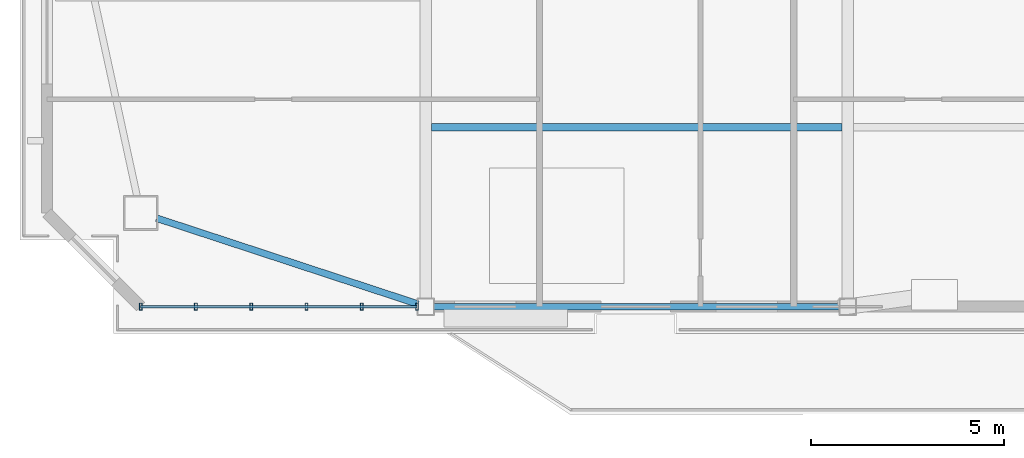
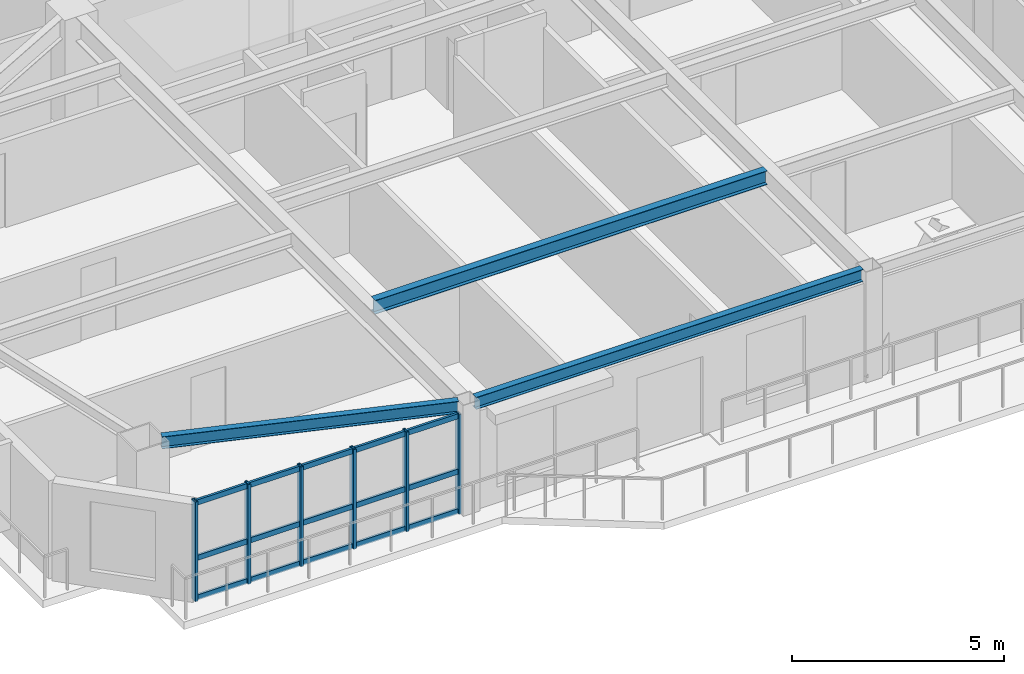
# One storey, part 2 of 15: 9 members, 3 beams, 1 element without a shape of its own.
"""IFC4 building model written with IfcOpenShell, lengths in metres."""

from ifc_helpers import new_model, si_unit, direction, frame, origin, origin_2d, place, context, subcontext, project, spatial, hollow_rectangle, i_section, extrude, source, transform, mapped, material, layer, layer_set, material_profile, profile_set, type_object, element, aggregate, save


model = new_model("IFC4")

# Units and contexts
model_context = context("Model", 3, precision=1e-05, world=origin(), true_north=direction((0.0, 1.0)))
body_context = subcontext(model_context, "Body", "Model", "MODEL_VIEW")
ifc_project = project(units=[si_unit("LENGTHUNIT", "METRE"), si_unit("AREAUNIT", "SQUARE_METRE"), si_unit("VOLUMEUNIT", "CUBIC_METRE"), si_unit("PLANEANGLEUNIT", "RADIAN"), si_unit("MASSUNIT", "GRAM", prefix="KILO")], contexts=[model_context])

# Site, building, storey
site_placement = place(None, origin())
site = spatial("IfcSite", under=ifc_project, at=site_placement, CompositionType="ELEMENT")
building_placement = place(site_placement, origin())
building = spatial("IfcBuilding", under=site, at=building_placement, Name="Giltprow Tower", CompositionType="ELEMENT")
storey_placement = place(building_placement, frame((0.0, 0.0, 293.800048828125)))
storey = spatial("IfcBuildingStorey", under=building, at=storey_placement, Name="L75", CompositionType="ELEMENT", Elevation=293.800048828125)

# Beams
ifc_material_1 = material(Name="Structural steel Q355B", Category="steel")
ifc_material_profile_1 = material_profile(ifc_material_1, i_section(OverallWidth=0.199951171875, OverallDepth=0.39990234375, WebThickness=0.008056640625, FlangeThickness=0.012939453125, at=origin_2d()), Name="HN 400x200x8x13")
ifc_profile_set_1 = profile_set([ifc_material_profile_1], Name="Structural steel Q355B")
beam_type_1 = type_object("IfcBeamType", Name="BM-JOIST-HN400", PredefinedType="JOIST", material=ifc_profile_set_1)
shared_shape_1 = source(origin(), body_context, "Body", "SweptSolid", [
    extrude(i_section(OverallWidth=0.199951171875, OverallDepth=0.39990234375, WebThickness=0.008056640625, FlangeThickness=0.012939453125, at=origin_2d()), origin(), (0.0, 0.0, 1.0), 10.659912109375),
])
beam_1_placement = place(storey_placement, frame((19.9951171875, 23.492919921875, 2.98486328125), z_axis=(1.0, 0.0, 0.0), x_axis=(0.0, 1.0, 0.0)))
element("IfcBeam", 1, at=beam_1_placement, inside=storey, type_object=beam_type_1, Name="L75 Composite Floor Joist 1-1", PredefinedType="JOIST", context=body_context, shape_type="MappedRepresentation", body=[
    mapped(shared_shape_1, transform((0.0, 0.0, 0.0), x_axis=(1.0, 0.0, 0.0), y_axis=(0.0, 1.0, 0.0), z_axis=(0.0, 0.0, 1.0), scale=1.0)),
])
ifc_material_profile_2 = material_profile(ifc_material_1, i_section(OverallWidth=0.175048828125, OverallDepth=0.35009765625, WebThickness=0.007080078125, FlangeThickness=0.010986328125, at=origin_2d()), Name="HN 350x175x7x11")
ifc_profile_set_2 = profile_set([ifc_material_profile_2], Name="Structural steel Q355B")
beam_type_2 = type_object("IfcBeamType", Name="BM-SPAN-HN350", PredefinedType="SPANDREL", material=ifc_profile_set_2)
shared_shape_2 = source(origin(), body_context, "Body", "SweptSolid", [
    extrude(i_section(OverallWidth=0.175048828125, OverallDepth=0.35009765625, WebThickness=0.007080078125, FlangeThickness=0.010986328125, at=origin_2d()), origin(), (0.0, 0.0, 1.0), 10.530029296875),
])
beam_2_placement = place(storey_placement, frame((20.06005859375, 18.841064453125, 3.010009765625), z_axis=(1.0, 0.0, 0.0), x_axis=(0.0, 1.0, 0.0)))
element("IfcBeam", 2, at=beam_2_placement, inside=storey, type_object=beam_type_2, Name="L75 Perimeter Spandrel Beam S1-S2", PredefinedType="SPANDREL", context=body_context, shape_type="MappedRepresentation", body=[
    mapped(shared_shape_2, transform((0.0, 0.0, 0.0), x_axis=(1.0, 0.0, 0.0), y_axis=(0.0, 1.0, 0.0), z_axis=(0.0, 0.0, 1.0), scale=1.0)),
])
shared_shape_3 = source(origin(), body_context, "Body", "SweptSolid", [
    extrude(i_section(OverallWidth=0.175048828125, OverallDepth=0.35009765625, WebThickness=0.007080078125, FlangeThickness=0.010986328125, at=origin_2d()), origin(), (0.0, 0.0, 1.0), 7.139892578125),
])
beam_3_placement = place(storey_placement, frame((12.867919921875, 21.135986328125, 3.010009765625), z_axis=(0.950018565555, -0.312193409766, 0.0), x_axis=(0.312193409766, 0.950018565555, 0.0)))
element("IfcBeam", 3, at=beam_3_placement, inside=storey, type_object=beam_type_2, Name="L75 Perimeter Spandrel Beam MC_SW-S1", PredefinedType="SPANDREL", context=body_context, shape_type="MappedRepresentation", body=[
    mapped(shared_shape_3, transform((0.0, 0.0, 0.0), x_axis=(1.0, 0.0, 0.0), y_axis=(0.0, 1.0, 0.0), z_axis=(0.0, 0.0, 1.0), scale=1.0)),
])

# Curtain wall, members
ifc_material_2 = material(Name="Anodized bronze", Category="metal")
ifc_layer = layer(ifc_material_2, 0.179931640625, Name="Anodized bronze")
ifc_layer_set = layer_set([ifc_layer], Name="Anodized bronze")
curtain_wall_type = type_object("IfcCurtainWallType", Name="CW-RES-SKY", PredefinedType="NOTDEFINED", material=ifc_layer_set)
curtain_wall_placement = place(storey_placement, origin())
curtain_wall = element("IfcCurtainWall", 4, at=curtain_wall_placement, inside=storey, type_object=curtain_wall_type, Name="L75 South Recessed Curtain Wall 1", PredefinedType="NOTDEFINED")
ifc_material_profile_3 = material_profile(ifc_material_2, hollow_rectangle(XDim=0.074951171875, YDim=0.179931640625, WallThickness=0.008056640625, at=origin_2d()), Name="RHS 180x75x8")
ifc_profile_set_3 = profile_set([ifc_material_profile_3], Name="Anodized bronze")
member_type_1 = type_object("IfcMemberType", Name="CW-MULLION-180x75", PredefinedType="MULLION", material=ifc_profile_set_3)
shared_shape_4 = source(origin(), body_context, "Body", "SweptSolid", [
    extrude(hollow_rectangle(XDim=0.074951171875, YDim=0.179931640625, WallThickness=0.008056640625, at=origin_2d()), origin(), (0.0, 0.0, 1.0), 2.869873046875),
])
member_1_placement = place(storey_placement, frame((12.455078125, 18.841064453125, -0.02001953125), z_axis=(0.0, 0.0, 1.0), x_axis=(1.0, 0.0, 0.0)))
member_1 = element("IfcMember", 5, at=member_1_placement, type_object=member_type_1, Name="L75 South Recessed Curtain Wall 1 Mullion 1", PredefinedType="MULLION", context=body_context, shape_type="MappedRepresentation", body=[
    mapped(shared_shape_4, transform((0.0, 0.0, 0.0), x_axis=(1.0, 0.0, 0.0), y_axis=(0.0, 1.0, 0.0), z_axis=(0.0, 0.0, 1.0), scale=1.0)),
])
member_2_placement = place(storey_placement, frame((13.888916015625, 18.841064453125, -0.02001953125), z_axis=(0.0, 0.0, 1.0), x_axis=(1.0, 0.0, 0.0)))
member_2 = element("IfcMember", 6, at=member_2_placement, type_object=member_type_1, Name="L75 South Recessed Curtain Wall 1 Mullion 2", PredefinedType="MULLION", context=body_context, shape_type="MappedRepresentation", body=[
    mapped(shared_shape_4, transform((0.0, 0.0, 0.0), x_axis=(1.0, 0.0, 0.0), y_axis=(0.0, 1.0, 0.0), z_axis=(0.0, 0.0, 1.0), scale=1.0)),
])
member_3_placement = place(storey_placement, frame((15.322998046875, 18.841064453125, -0.02001953125), z_axis=(0.0, 0.0, 1.0), x_axis=(1.0, 0.0, 0.0)))
member_3 = element("IfcMember", 7, at=member_3_placement, type_object=member_type_1, Name="L75 South Recessed Curtain Wall 1 Mullion 3", PredefinedType="MULLION", context=body_context, shape_type="MappedRepresentation", body=[
    mapped(shared_shape_4, transform((0.0, 0.0, 0.0), x_axis=(1.0, 0.0, 0.0), y_axis=(0.0, 1.0, 0.0), z_axis=(0.0, 0.0, 1.0), scale=1.0)),
])
member_4_placement = place(storey_placement, frame((16.757080078125, 18.841064453125, -0.02001953125), z_axis=(0.0, 0.0, 1.0), x_axis=(1.0, 0.0, 0.0)))
member_4 = element("IfcMember", 8, at=member_4_placement, type_object=member_type_1, Name="L75 South Recessed Curtain Wall 1 Mullion 4", PredefinedType="MULLION", context=body_context, shape_type="MappedRepresentation", body=[
    mapped(shared_shape_4, transform((0.0, 0.0, 0.0), x_axis=(1.0, 0.0, 0.0), y_axis=(0.0, 1.0, 0.0), z_axis=(0.0, 0.0, 1.0), scale=1.0)),
])
member_5_placement = place(storey_placement, frame((18.19091796875, 18.841064453125, -0.02001953125), z_axis=(0.0, 0.0, 1.0), x_axis=(1.0, 0.0, 0.0)))
member_5 = element("IfcMember", 9, at=member_5_placement, type_object=member_type_1, Name="L75 South Recessed Curtain Wall 1 Mullion 5", PredefinedType="MULLION", context=body_context, shape_type="MappedRepresentation", body=[
    mapped(shared_shape_4, transform((0.0, 0.0, 0.0), x_axis=(1.0, 0.0, 0.0), y_axis=(0.0, 1.0, 0.0), z_axis=(0.0, 0.0, 1.0), scale=1.0)),
])
member_6_placement = place(storey_placement, frame((19.625, 18.841064453125, -0.02001953125), z_axis=(0.0, 0.0, 1.0), x_axis=(1.0, 0.0, 0.0)))
member_6 = element("IfcMember", 10, at=member_6_placement, type_object=member_type_1, Name="L75 South Recessed Curtain Wall 1 Mullion 6", PredefinedType="MULLION", context=body_context, shape_type="MappedRepresentation", body=[
    mapped(shared_shape_4, transform((0.0, 0.0, 0.0), x_axis=(1.0, 0.0, 0.0), y_axis=(0.0, 1.0, 0.0), z_axis=(0.0, 0.0, 1.0), scale=1.0)),
])
ifc_material_profile_4 = material_profile(ifc_material_2, hollow_rectangle(XDim=0.06494140625, YDim=0.14990234375, WallThickness=0.006103515625, at=origin_2d()), Name="RHS 150x65x6")
ifc_profile_set_4 = profile_set([ifc_material_profile_4], Name="Anodized bronze")
member_type_2 = type_object("IfcMemberType", Name="CW-TRANSOM-150x65", PredefinedType="USERDEFINED", material=ifc_profile_set_4)
shared_shape_5 = source(origin(), body_context, "Body", "SweptSolid", [
    extrude(hollow_rectangle(XDim=0.06494140625, YDim=0.14990234375, WallThickness=0.006103515625, at=origin_2d()), origin(), (0.0, 0.0, 1.0), 7.169921875),
])
member_7_placement = place(storey_placement, frame((12.455078125, 18.841064453125, 0.0400390625), z_axis=(1.0, 0.0, 0.0), x_axis=(0.0, 1.0, 0.0)))
member_7 = element("IfcMember", 11, at=member_7_placement, type_object=member_type_2, Name="L75 South Recessed Curtain Wall 1 Transom 1", ObjectType="TRANSOM", PredefinedType="USERDEFINED", context=body_context, shape_type="MappedRepresentation", body=[
    mapped(shared_shape_5, transform((0.0, 0.0, 0.0), x_axis=(1.0, 0.0, 0.0), y_axis=(0.0, 1.0, 0.0), z_axis=(0.0, 0.0, 1.0), scale=1.0)),
])
member_8_placement = place(storey_placement, frame((12.455078125, 18.841064453125, 1.181884765625), z_axis=(1.0, 0.0, 0.0), x_axis=(0.0, 1.0, 0.0)))
member_8 = element("IfcMember", 12, at=member_8_placement, type_object=member_type_2, Name="L75 South Recessed Curtain Wall 1 Transom 2", ObjectType="TRANSOM", PredefinedType="USERDEFINED", context=body_context, shape_type="MappedRepresentation", body=[
    mapped(shared_shape_5, transform((0.0, 0.0, 0.0), x_axis=(1.0, 0.0, 0.0), y_axis=(0.0, 1.0, 0.0), z_axis=(0.0, 0.0, 1.0), scale=1.0)),
])
member_9_placement = place(storey_placement, frame((12.455078125, 18.841064453125, 2.77490234375), z_axis=(1.0, 0.0, 0.0), x_axis=(0.0, 1.0, 0.0)))
member_9 = element("IfcMember", 13, at=member_9_placement, type_object=member_type_2, Name="L75 South Recessed Curtain Wall 1 Transom 3", ObjectType="TRANSOM", PredefinedType="USERDEFINED", context=body_context, shape_type="MappedRepresentation", body=[
    mapped(shared_shape_5, transform((0.0, 0.0, 0.0), x_axis=(1.0, 0.0, 0.0), y_axis=(0.0, 1.0, 0.0), z_axis=(0.0, 0.0, 1.0), scale=1.0)),
])
aggregate(curtain_wall, [member_1, member_2, member_3, member_4, member_5, member_6, member_7, member_8, member_9])

save(model, "model.ifc")
